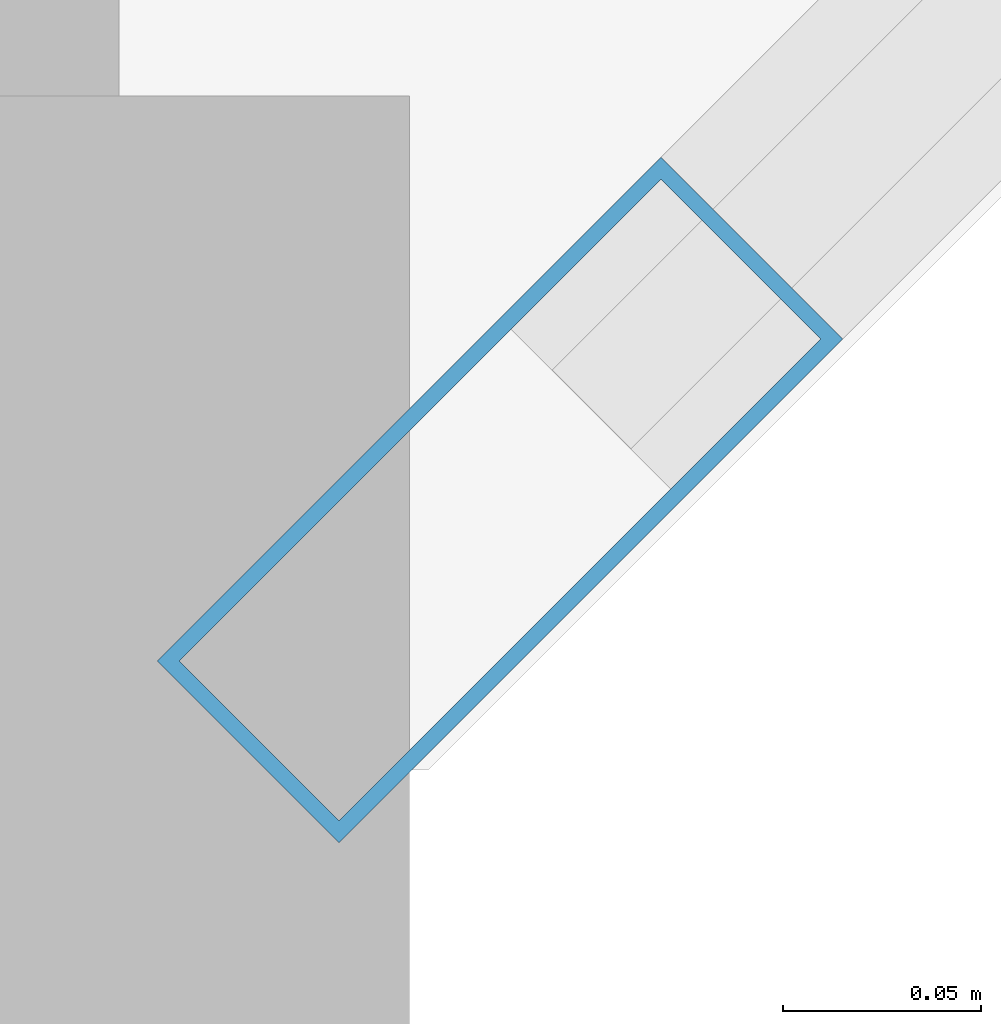
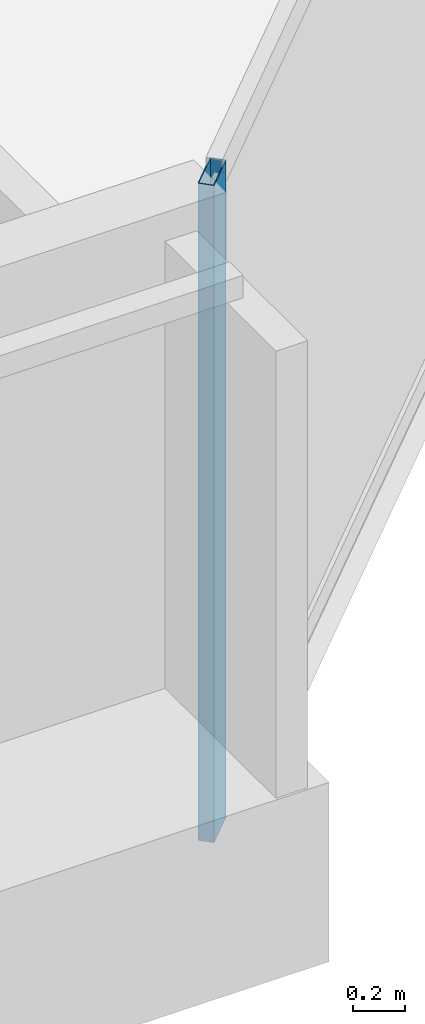
# One storey, part 15 of 35: 1 member, 1 element without a shape of its own.
"""IFC4 building model written with IfcOpenShell, lengths in metres."""

from ifc_helpers import new_model, si_unit, direction, frame, origin, origin_2d, place, context, subcontext, project, spatial, hollow_rectangle, extrude, material, layer, layer_set, material_profile, profile_set, type_object, element, aggregate, save


model = new_model("IFC4")

# Units and contexts
model_context = context("Model", 3, precision=1e-05, world=origin(), true_north=direction((0.0, 1.0)))
body_context = subcontext(model_context, "Body", "Model", "MODEL_VIEW")
ifc_project = project(units=[si_unit("LENGTHUNIT", "METRE"), si_unit("AREAUNIT", "SQUARE_METRE"), si_unit("VOLUMEUNIT", "CUBIC_METRE"), si_unit("PLANEANGLEUNIT", "RADIAN"), si_unit("MASSUNIT", "GRAM", prefix="KILO")], contexts=[model_context])

# Site, building, storey
site_placement = place(None, origin())
site = spatial("IfcSite", under=ifc_project, at=site_placement, CompositionType="ELEMENT")
building_placement = place(site_placement, origin())
building = spatial("IfcBuilding", under=site, at=building_placement, Name="Tanjung Sevakor Pilgrim Tower", CompositionType="ELEMENT")
storey_placement = place(building_placement, frame((0.0, 0.0, 92.070068359375)))
storey = spatial("IfcBuildingStorey", under=building, at=storey_placement, Name="L25", CompositionType="ELEMENT", Elevation=92.070068359375)

# Curtain wall, member
ifc_material_1 = material(Name="Aluminium 6063-T6 and Low-E Glass", Category="aluminium")
ifc_layer = layer(ifc_material_1, 0.179931640625)
ifc_layer_set = layer_set([ifc_layer], Name="CW-SYS-CHAM")
curtain_wall_type = type_object("IfcCurtainWallType", Name="CW-SYS-CHAM", PredefinedType="NOTDEFINED", material=ifc_layer_set)
curtain_wall_placement = place(storey_placement, origin())
curtain_wall = element("IfcCurtainWall", 1, at=curtain_wall_placement, inside=storey, type_object=curtain_wall_type, Name="L25 Curtain Wall CW-CHM-L25-MAIN-5", PredefinedType="NOTDEFINED")
ifc_material_2 = material(Name="Aluminium 6063-T6", Category="aluminium")
ifc_material_profile = material_profile(ifc_material_2, hollow_rectangle(XDim=0.06494140625, YDim=0.179931640625, WallThickness=0.00390625, at=origin_2d()))
ifc_profile_set = profile_set([ifc_material_profile], Name="Aluminium 6063-T6")
member_type = type_object("IfcMemberType", Name="TYPE-CWM-1", PredefinedType="MULLION", material=ifc_profile_set)
member_placement = place(storey_placement, frame((96.171142578125, 9.748046875, 0.0), z_axis=(0.0, 0.0, 1.0), x_axis=(-0.707106781187, 0.707106781187, 0.0)))
member = element("IfcMember", 2, at=member_placement, type_object=member_type, Name="CW-CHM mullion 1", PredefinedType="MULLION", context=body_context, shape_type="SweptSolid", body=[
    extrude(hollow_rectangle(XDim=0.06494140625, YDim=0.179931640625, WallThickness=0.00390625, at=origin_2d()), origin(), (0.0, 0.0, 1.0), 3.079833984375),
])
aggregate(curtain_wall, [member])

save(model, "model.ifc")
